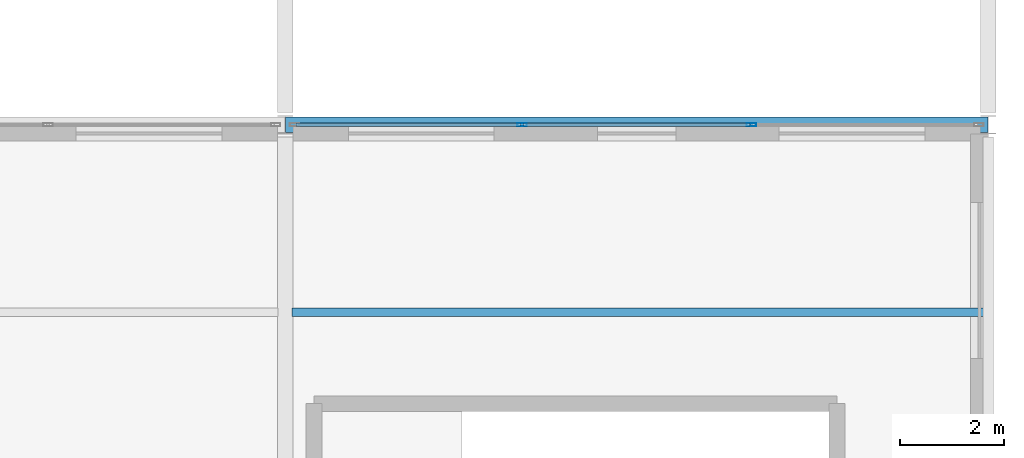
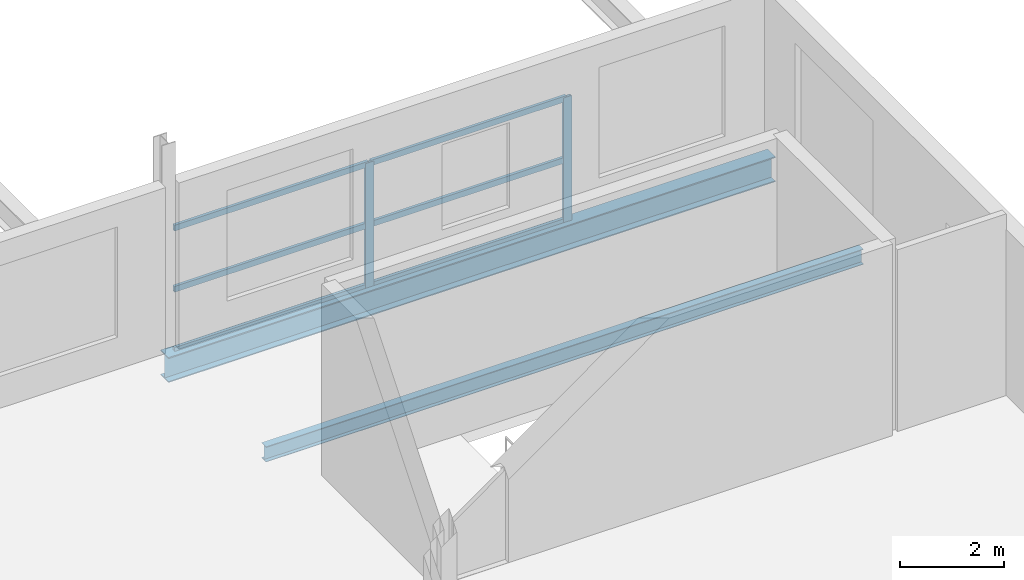
# One storey, part 92 of 134: 8 members, 2 beams, 1 element without a shape of its own.
"""IFC4 building model written with IfcOpenShell, lengths in metres."""

from ifc_helpers import new_model, si_unit, direction, frame, origin, origin_2d, place, context, subcontext, project, spatial, hollow_rectangle, i_section, extrude, material, layer, layer_set, material_profile, profile_set, type_object, element, aggregate, save


model = new_model("IFC4")

# Units and contexts
model_context = context("Model", 3, precision=1e-05, world=origin(), true_north=direction((0.0, 1.0)))
body_context = subcontext(model_context, "Body", "Model", "MODEL_VIEW")
ifc_project = project(units=[si_unit("LENGTHUNIT", "METRE"), si_unit("AREAUNIT", "SQUARE_METRE"), si_unit("VOLUMEUNIT", "CUBIC_METRE"), si_unit("PLANEANGLEUNIT", "RADIAN"), si_unit("MASSUNIT", "GRAM", prefix="KILO")], contexts=[model_context])

# Site, building, storey
site_placement = place(None, origin())
site = spatial("IfcSite", under=ifc_project, at=site_placement, CompositionType="ELEMENT")
building_placement = place(site_placement, origin())
building = spatial("IfcBuilding", under=site, at=building_placement, Name="Tamarisk Ironworks Central Station", CompositionType="ELEMENT")
storey_placement = place(building_placement, frame((0.0, 0.0, 12.60009765625)))
storey = spatial("IfcBuildingStorey", under=building, at=storey_placement, Name="L02", CompositionType="ELEMENT", Elevation=12.60009765625)

# Beams
ifc_material_1 = material(Name="Structural steel S355J2", Category="steel")
ifc_material_profile_1 = material_profile(ifc_material_1, i_section(OverallWidth=0.169921875, OverallDepth=0.360107421875, WebThickness=0.008056640625, FlangeThickness=0.0126953125, at=origin_2d()), Name="IPE 360")
ifc_profile_set_1 = profile_set([ifc_material_profile_1], Name="Structural steel S355J2")
beam_type_1 = type_object("IfcBeamType", Name="BM-B05", PredefinedType="BEAM", material=ifc_profile_set_1)
beam_1_placement = place(storey_placement, frame((166.635009765625, 18.0, -0.43017578125), z_axis=(1.0, 0.0, 0.0), x_axis=(0.0, 1.0, 0.0)))
element("IfcBeam", 1, at=beam_1_placement, inside=storey, type_object=beam_type_1, Name="L02 secondary composite beam 0196", PredefinedType="BEAM", context=body_context, shape_type="SweptSolid", body=[
    extrude(i_section(OverallWidth=0.169921875, OverallDepth=0.360107421875, WebThickness=0.008056640625, FlangeThickness=0.0126953125, at=origin_2d()), origin(), (0.0, 0.0, 1.0), 13.280029296875),
])
ifc_material_profile_2 = material_profile(ifc_material_1, i_section(OverallWidth=0.300048828125, OverallDepth=0.590087890625, WebThickness=0.012939453125, FlangeThickness=0.02490234375, at=origin_2d()), Name="HEA 600")
ifc_profile_set_2 = profile_set([ifc_material_profile_2], Name="Structural steel S355J2")
beam_type_2 = type_object("IfcBeamType", Name="BM-G03", PredefinedType="BEAM", material=ifc_profile_set_2)
beam_2_placement = place(storey_placement, frame((166.50390625, 21.60009765625, -0.545166015625), z_axis=(1.0, 0.0, 0.0), x_axis=(0.0, 1.0, 0.0)))
element("IfcBeam", 2, at=beam_2_placement, inside=storey, type_object=beam_type_2, Name="L02 primary girder X-0318", PredefinedType="BEAM", context=body_context, shape_type="SweptSolid", body=[
    extrude(i_section(OverallWidth=0.300048828125, OverallDepth=0.590087890625, WebThickness=0.012939453125, FlangeThickness=0.02490234375, at=origin_2d()), origin(), (0.0, 0.0, 1.0), 13.4921875),
])

# Curtain wall, members
ifc_material_2 = material(Name="Anodized aluminium alloy 6063-T6", Category="aluminium")
ifc_layer = layer(ifc_material_2, 0.179931640625)
ifc_layer_set = layer_set([ifc_layer], Name="Anodized aluminium alloy 6063-T6")
curtain_wall_type = type_object("IfcCurtainWallType", Name="CW-07", PredefinedType="USERDEFINED", material=ifc_layer_set)
curtain_wall_placement = place(storey_placement, origin())
curtain_wall = element("IfcCurtainWall", 3, at=curtain_wall_placement, inside=storey, type_object=curtain_wall_type, Name="Train shed ES clerestory curtain wall 166", ObjectType="GLAZED CURTAIN WALL", PredefinedType="USERDEFINED")
ifc_material_profile_3 = material_profile(ifc_material_2, hollow_rectangle(XDim=0.06494140625, YDim=0.179931640625, WallThickness=0.00390625, at=origin_2d()), Name="ALUM 180x65")
ifc_profile_set_3 = profile_set([ifc_material_profile_3], Name="Anodized aluminium alloy 6063-T6")
member_type_1 = type_object("IfcMemberType", Name="CWM-02", PredefinedType="MULLION", material=ifc_profile_set_3)
member_1_placement = place(storey_placement, frame((171.04931640625, 21.60009765625, -0.260009765625), z_axis=(0.0, 0.0, 1.0), x_axis=(0.0, 1.0, 0.0)))
member_1 = element("IfcMember", 4, at=member_1_placement, type_object=member_type_1, Name="CW07 mullion 2", PredefinedType="MULLION", context=body_context, shape_type="SweptSolid", body=[
    extrude(hollow_rectangle(XDim=0.06494140625, YDim=0.179931640625, WallThickness=0.00390625, at=origin_2d()), origin(), (0.0, 0.0, 1.0), 2.93994140625),
])
member_2_placement = place(storey_placement, frame((175.45068359375, 21.60009765625, -0.260009765625), z_axis=(0.0, 0.0, 1.0), x_axis=(0.0, 1.0, 0.0)))
member_2 = element("IfcMember", 5, at=member_2_placement, type_object=member_type_1, Name="CW07 mullion 3", PredefinedType="MULLION", context=body_context, shape_type="SweptSolid", body=[
    extrude(hollow_rectangle(XDim=0.06494140625, YDim=0.179931640625, WallThickness=0.00390625, at=origin_2d()), origin(), (0.0, 0.0, 1.0), 2.93994140625),
])
ifc_material_profile_4 = material_profile(ifc_material_2, hollow_rectangle(XDim=0.06494140625, YDim=0.135009765625, WallThickness=0.00341796875, at=origin_2d()), Name="ALUM 135x65")
ifc_profile_set_4 = profile_set([ifc_material_profile_4], Name="Anodized aluminium alloy 6063-T6")
member_type_2 = type_object("IfcMemberType", Name="CWT-02", PredefinedType="USERDEFINED", material=ifc_profile_set_4)
member_3_placement = place(storey_placement, frame((166.708984375, 21.60009765625, -0.2275390625), z_axis=(1.0, 0.0, 0.0), x_axis=(0.0, 1.0, 0.0)))
member_3 = element("IfcMember", 6, at=member_3_placement, type_object=member_type_2, Name="CW07 transom 1.1", ObjectType="TRANSOM", PredefinedType="USERDEFINED", context=body_context, shape_type="SweptSolid", body=[
    extrude(hollow_rectangle(XDim=0.06494140625, YDim=0.135009765625, WallThickness=0.00341796875, at=origin_2d()), origin(), (0.0, 0.0, 1.0), 4.311767578125),
])
member_4_placement = place(storey_placement, frame((166.708984375, 21.60009765625, 1.2099609375), z_axis=(1.0, 0.0, 0.0), x_axis=(0.0, 1.0, 0.0)))
member_4 = element("IfcMember", 7, at=member_4_placement, type_object=member_type_2, Name="CW07 transom 1.2", ObjectType="TRANSOM", PredefinedType="USERDEFINED", context=body_context, shape_type="SweptSolid", body=[
    extrude(hollow_rectangle(XDim=0.06494140625, YDim=0.135009765625, WallThickness=0.00341796875, at=origin_2d()), origin(), (0.0, 0.0, 1.0), 4.311767578125),
])
member_5_placement = place(storey_placement, frame((166.708984375, 21.60009765625, 2.6474609375), z_axis=(1.0, 0.0, 0.0), x_axis=(0.0, 1.0, 0.0)))
member_5 = element("IfcMember", 8, at=member_5_placement, type_object=member_type_2, Name="CW07 transom 1.3", ObjectType="TRANSOM", PredefinedType="USERDEFINED", context=body_context, shape_type="SweptSolid", body=[
    extrude(hollow_rectangle(XDim=0.06494140625, YDim=0.135009765625, WallThickness=0.00341796875, at=origin_2d()), origin(), (0.0, 0.0, 1.0), 4.311767578125),
])
member_6_placement = place(storey_placement, frame((171.077880859375, 21.60009765625, -0.2275390625), z_axis=(1.0, 0.0, 0.0), x_axis=(0.0, 1.0, 0.0)))
member_6 = element("IfcMember", 9, at=member_6_placement, type_object=member_type_2, Name="CW07 transom 2.1", ObjectType="TRANSOM", PredefinedType="USERDEFINED", context=body_context, shape_type="SweptSolid", body=[
    extrude(hollow_rectangle(XDim=0.06494140625, YDim=0.135009765625, WallThickness=0.00341796875, at=origin_2d()), origin(), (0.0, 0.0, 1.0), 4.34423828125),
])
member_7_placement = place(storey_placement, frame((171.077880859375, 21.60009765625, 1.2099609375), z_axis=(1.0, 0.0, 0.0), x_axis=(0.0, 1.0, 0.0)))
member_7 = element("IfcMember", 10, at=member_7_placement, type_object=member_type_2, Name="CW07 transom 2.2", ObjectType="TRANSOM", PredefinedType="USERDEFINED", context=body_context, shape_type="SweptSolid", body=[
    extrude(hollow_rectangle(XDim=0.06494140625, YDim=0.135009765625, WallThickness=0.00341796875, at=origin_2d()), origin(), (0.0, 0.0, 1.0), 4.34423828125),
])
member_8_placement = place(storey_placement, frame((171.077880859375, 21.60009765625, 2.6474609375), z_axis=(1.0, 0.0, 0.0), x_axis=(0.0, 1.0, 0.0)))
member_8 = element("IfcMember", 11, at=member_8_placement, type_object=member_type_2, Name="CW07 transom 2.3", ObjectType="TRANSOM", PredefinedType="USERDEFINED", context=body_context, shape_type="SweptSolid", body=[
    extrude(hollow_rectangle(XDim=0.06494140625, YDim=0.135009765625, WallThickness=0.00341796875, at=origin_2d()), origin(), (0.0, 0.0, 1.0), 4.34423828125),
])
aggregate(curtain_wall, [member_1, member_2, member_3, member_4, member_5, member_6, member_7, member_8])

save(model, "model.ifc")
